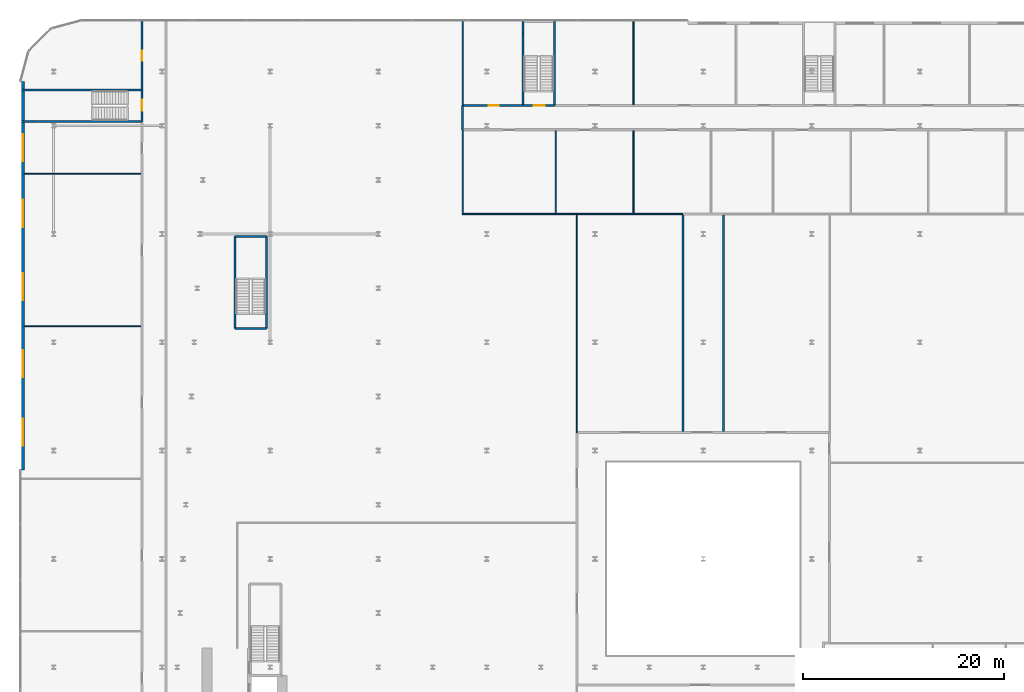
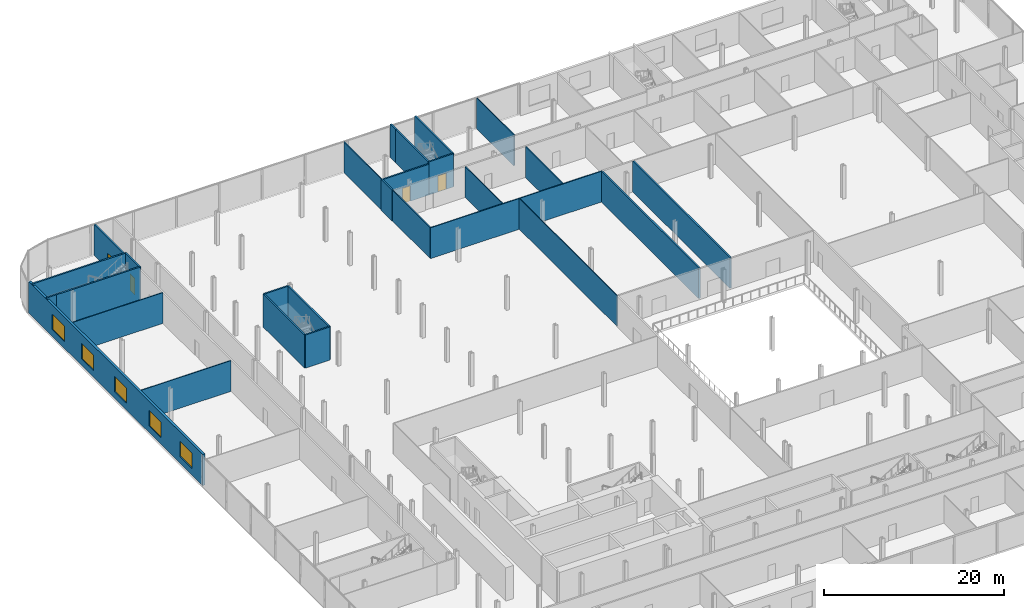
# One storey, part 34 of 47: 27 walls, 5 windows, 4 doors, 9 openings.
"""IFC4 building model written with IfcOpenShell, lengths in metres."""

from ifc_helpers import new_model, si_unit, direction, frame, frame_2d, origin, place, context, subcontext, project, spatial, rectangle, extrude, source, transform, mapped, material, layer, layer_set, type_object, element, fill, save


model = new_model("IFC4")

# Units and contexts
model_context = context("Model", 3, precision=1e-05, world=origin(), true_north=direction((0.0, 1.0)))
body_context = subcontext(model_context, "Body", "Model", "MODEL_VIEW")
ifc_project = project(units=[si_unit("LENGTHUNIT", "METRE"), si_unit("AREAUNIT", "SQUARE_METRE"), si_unit("VOLUMEUNIT", "CUBIC_METRE"), si_unit("PLANEANGLEUNIT", "RADIAN"), si_unit("MASSUNIT", "GRAM", prefix="KILO")], contexts=[model_context])

# Site, building, storey
site_placement = place(None, origin())
site = spatial("IfcSite", under=ifc_project, at=site_placement, CompositionType="ELEMENT")
building_placement = place(site_placement, origin())
building = spatial("IfcBuilding", under=site, at=building_placement, Name="Kheshtan School and Residences Tower", CompositionType="ELEMENT")
storey_placement = place(building_placement, frame((0.0, 0.0, 17.0)))
storey = spatial("IfcBuildingStorey", under=building, at=storey_placement, Name="L03", CompositionType="ELEMENT", Elevation=17.0)

# Walls
ifc_material_1 = material(Name="Gypsum board on steel studs with mineral wool", Category="steel")
ifc_layer_1 = layer(ifc_material_1, 0.125)
ifc_layer_set_1 = layer_set([ifc_layer_1], Name="Acoustic partition 125")
wall_type_1 = type_object("IfcWallType", Name="Acoustic partition 125", PredefinedType="PARTITIONING", material=ifc_layer_set_1)
wall_1_placement = place(storey_placement, frame((55.93798828125, 90.800048828125, 0.0), z_axis=(0.0, 0.0, 1.0), x_axis=(1.0, 0.0, 0.0)))
element("IfcWall", 1, at=wall_1_placement, inside=storey, type_object=wall_type_1, Name="Partition L03-020", PredefinedType="PARTITIONING", context=body_context, shape_type="SweptSolid", body=[
    extrude(rectangle(XDim=22.06201171875, YDim=0.125, at=frame_2d((11.031005859375, 0.0))), origin(), (0.0, 0.0, 1.0), 4.179931640625),
])
wall_2_placement = place(storey_placement, frame((56.0, 90.862060546875, 0.0), z_axis=(0.0, 0.0, 1.0), x_axis=(0.0, 1.0, 0.0)))
element("IfcWall", 2, at=wall_2_placement, inside=storey, type_object=wall_type_1, Name="Partition L03-021", PredefinedType="PARTITIONING", context=body_context, shape_type="SweptSolid", body=[
    extrude(rectangle(XDim=8.337890625, YDim=0.125, at=frame_2d((4.1689453125, 0.0))), origin(), (0.0, 0.0, 1.0), 4.179931640625),
])
wall_3_placement = place(storey_placement, frame((56.0, 101.60009765625, 0.0), z_axis=(0.0, 0.0, 1.0), x_axis=(0.0, 1.0, 0.0)))
element("IfcWall", 3, at=wall_3_placement, inside=storey, type_object=wall_type_1, Name="Partition L03-023", PredefinedType="PARTITIONING", context=body_context, shape_type="SweptSolid", body=[
    extrude(rectangle(XDim=8.39990234375, YDim=0.125, at=frame_2d((4.199951171875, 0.0))), origin(), (0.0, 0.0, 1.0), 4.179931640625),
])
for number, where, z_axis, x_axis, name in (
    (4, (65.2890625, 90.862060546875, 0.0), (0.0, 0.0, 1.0), (0.0, 1.0, 0.0), "Partition L03-027"),
    (5, (73.029052734375, 90.862060546875, 0.0), (0.0, 0.0, 1.0), (0.0, 1.0, 0.0), "Partition L03-034"),
):
    element("IfcWall", number, at=place(storey_placement, frame(where, z_axis=z_axis, x_axis=x_axis)), inside=storey, type_object=wall_type_1, Name=name, PredefinedType="PARTITIONING", context=body_context, shape_type="SweptSolid", body=[
        extrude(rectangle(XDim=8.238037109375, YDim=0.125, at=frame_2d((4.119140625, 0.0))), origin(), (0.0, 0.0, 1.0), 4.179931640625),
    ])
wall_4_placement = place(storey_placement, frame((73.0419921875, 101.699951171875, 0.0), z_axis=(0.0, 0.0, 1.0), x_axis=(0.0, 1.0, 0.0)))
element("IfcWall", 6, at=wall_4_placement, inside=storey, type_object=wall_type_1, Name="Partition L03-035", PredefinedType="PARTITIONING", context=body_context, shape_type="SweptSolid", body=[
    extrude(rectangle(XDim=8.300048828125, YDim=0.125, at=frame_2d((4.14990234375, 0.0))), origin(), (0.0, 0.0, 1.0), 4.179931640625),
])

# Wall, opening, door
ifc_material_2 = material(Name="Gypsum board on steel studs with fire boards", Category="steel")
ifc_layer_2 = layer(ifc_material_2, 0.199951171875)
ifc_layer_set_2 = layer_set([ifc_layer_2], Name="Corridor wall 200")
wall_type_2 = type_object("IfcWallType", Name="Corridor wall 200", PredefinedType="PARTITIONING", material=ifc_layer_set_2)
wall_5_placement = place(storey_placement, frame((24.0, 103.14990234375, 0.0), z_axis=(0.0, 0.0, 1.0), x_axis=(0.0, 1.0, 0.0)))
wall_5 = element("IfcWall", 7, at=wall_5_placement, inside=storey, type_object=wall_type_2, Name="Partition L03-013", PredefinedType="PARTITIONING", context=body_context, shape_type="SweptSolid", body=[
    extrude(rectangle(XDim=6.85009765625, YDim=0.199951171875, at=frame_2d((3.425048828125, 0.0))), origin(), (0.0, 0.0, 1.0), 4.179931640625),
])
opening_1_placement = place(wall_5_placement, frame((2.949951171875, 0.0, 0.0)))
opening_1 = element("IfcOpeningElement", 8, at=opening_1_placement, cuts=wall_5, Name="Opening D03-058", PredefinedType="OPENING", context=body_context, shape_type="SweptSolid", body=[
    extrude(rectangle(XDim=1.0, YDim=2.10009765625, at=frame_2d((0.5, 1.050048828125))), frame((0.0, 0.10986328125, 0.0), z_axis=(0.0, -1.0, 0.0), x_axis=(1.0, 0.0, 0.0)), (0.0, 0.0, 1.0), 0.219970703125),
])
ifc_material_3 = material(Name="Steel-framed fire-resisting door leaf", Category="steel")
door_type_1 = type_object("IfcDoorType", Name="Fire door FD60 1000 x 2100", OperationType="SINGLE_SWING_LEFT", PredefinedType="DOOR", material=ifc_material_3)
shared_shape_1 = source(origin(), body_context, "Body", "SweptSolid", [
    extrude(rectangle(XDim=1.0, YDim=2.10009765625, at=frame_2d((0.5, 1.050048828125))), frame((0.0, 0.02490234375, 0.0), z_axis=(0.0, -1.0, 0.0), x_axis=(1.0, 0.0, 0.0)), (0.0, 0.0, 1.0), 0.050048828125),
])
door_1_placement = place(opening_1_placement, origin())
door_1 = element("IfcDoor", 9, at=door_1_placement, inside=storey, type_object=door_type_1, Name="Door D03-058", OperationType="SINGLE_SWING_RIGHT", OverallHeight=2.10009765625, OverallWidth=1.0, PredefinedType="DOOR", context=body_context, shape_type="MappedRepresentation", body=[
    mapped(shared_shape_1, transform((0.0, 0.0, 0.0), x_axis=(1.0, 0.0, 0.0), y_axis=(0.0, 1.0, 0.0), z_axis=(0.0, 0.0, 1.0), scale=1.0)),
])
fill(opening_1, door_1)

# Wall
wall_6_placement = place(storey_placement, frame((56.0, 99.199951171875, 0.0), z_axis=(0.0, 0.0, 1.0), x_axis=(0.0, 1.0, 0.0)))
element("IfcWall", 10, at=wall_6_placement, inside=storey, type_object=wall_type_2, Name="Partition L03-022", PredefinedType="PARTITIONING", context=body_context, shape_type="SweptSolid", body=[
    extrude(rectangle(XDim=2.400146484375, YDim=0.199951171875, at=frame_2d((1.2001953125, 0.0))), origin(), (0.0, 0.0, 1.0), 4.179931640625),
])

# Wall, opening, door
wall_7_placement = place(storey_placement, frame((56.10009765625, 101.60009765625, 0.0), z_axis=(0.0, 0.0, 1.0), x_axis=(1.0, 0.0, 0.0)))
wall_7 = element("IfcWall", 11, at=wall_7_placement, inside=storey, type_object=wall_type_2, Name="Partition L03-025", PredefinedType="PARTITIONING", context=body_context, shape_type="SweptSolid", body=[
    extrude(rectangle(XDim=5.89990234375, YDim=0.199951171875, at=frame_2d((2.949951171875, 0.0))), origin(), (0.0, 0.0, 1.0), 4.179931640625),
])
opening_2_placement = place(wall_7_placement, frame((2.5, 0.0, 0.0)))
opening_2 = element("IfcOpeningElement", 12, at=opening_2_placement, cuts=wall_7, Name="Opening D03-024", PredefinedType="OPENING", context=body_context, shape_type="SweptSolid", body=[
    extrude(rectangle(XDim=1.0, YDim=2.10009765625, at=frame_2d((0.5, 1.050048828125))), frame((0.0, 0.10986328125, 0.0), z_axis=(0.0, -1.0, 0.0), x_axis=(1.0, 0.0, 0.0)), (0.0, 0.0, 1.0), 0.219970703125),
])
door_2_placement = place(opening_2_placement, origin())
door_2 = element("IfcDoor", 13, at=door_2_placement, inside=storey, type_object=door_type_1, Name="Door D03-024", OperationType="SINGLE_SWING_LEFT", OverallHeight=2.10009765625, OverallWidth=1.0, PredefinedType="DOOR", context=body_context, shape_type="MappedRepresentation", body=[
    mapped(shared_shape_1, transform((0.0, 0.0, 0.0), x_axis=(1.0, 0.0, 0.0), y_axis=(0.0, 1.0, 0.0), z_axis=(0.0, 0.0, 1.0), scale=1.0)),
])
fill(opening_2, door_2)

# Walls
for number, where, z_axis, x_axis, name in (
    (14, (78.0, 69.10009765625, 0.0), (0.0, 0.0, 1.0), (0.0, 1.0, 0.0), "Partition L03-036"),
    (15, (82.0, 69.10009765625, 0.0), (0.0, 0.0, 1.0), (0.0, 1.0, 0.0), "Partition L03-040"),
):
    element("IfcWall", number, at=place(storey_placement, frame(where, z_axis=z_axis, x_axis=x_axis)), inside=storey, type_object=wall_type_2, Name=name, PredefinedType="PARTITIONING", context=body_context, shape_type="SweptSolid", body=[
        extrude(rectangle(XDim=21.599853515625, YDim=0.199951171875, at=frame_2d((10.7998046875, 0.0))), origin(), (0.0, 0.0, 1.0), 4.179931640625),
    ])
ifc_material_4 = material(Name="Gypsum board on steel studs", Category="steel")
ifc_layer_3 = layer(ifc_material_4, 0.10009765625)
ifc_layer_set_3 = layer_set([ifc_layer_3], Name="Gypsum partition 100")
wall_type_3 = type_object("IfcWallType", Name="Gypsum partition 100", PredefinedType="PARTITIONING", material=ifc_layer_set_3)
for number, where, z_axis, x_axis, name in (
    (16, (12.299072265625, 79.60009765625, 0.0), (0.0, 0.0, 1.0), (1.0, 0.0, 0.0), "Partition L03-006"),
    (17, (12.299072265625, 94.800048828125, 0.0), (0.0, 0.0, 1.0), (1.0, 0.0, 0.0), "Partition L03-007"),
):
    element("IfcWall", number, at=place(storey_placement, frame(where, z_axis=z_axis, x_axis=x_axis)), inside=storey, type_object=wall_type_3, Name=name, PredefinedType="PARTITIONING", context=body_context, shape_type="SweptSolid", body=[
        extrude(rectangle(XDim=11.600830078125, YDim=0.10009765625, at=frame_2d((5.80029296875, 0.0))), origin(), (0.0, 0.0, 1.0), 4.179931640625),
    ])
wall_8_placement = place(storey_placement, frame((67.39990234375, 69.0, 0.0), z_axis=(0.0, 0.0, 1.0), x_axis=(0.0, 1.0, 0.0)))
element("IfcWall", 18, at=wall_8_placement, inside=storey, type_object=wall_type_3, Name="Partition L03-031", PredefinedType="PARTITIONING", context=body_context, shape_type="SweptSolid", body=[
    extrude(rectangle(XDim=21.738037109375, YDim=0.10009765625, at=frame_2d((10.869140625, 0.0))), origin(), (0.0, 0.0, 1.0), 4.179931640625),
])

# Wall, openings, windows
ifc_material_5 = material(Name="Concrete C40/50 with ceramic cladding and mineral wool insulation", Category="concrete")
ifc_layer_4 = layer(ifc_material_5, 0.300048828125)
ifc_layer_set_4 = layer_set([ifc_layer_4], Name="Podium external wall 300")
wall_type_4 = type_object("IfcWallType", Name="Podium external wall 300", PredefinedType="SOLIDWALL", material=ifc_layer_set_4)
wall_9_placement = place(storey_placement, frame((12.14990234375, 65.280029296875, 0.0), z_axis=(0.0, 0.0, 1.0), x_axis=(0.0, 1.0, 0.0)))
wall_9 = element("IfcWall", 19, at=wall_9_placement, inside=storey, type_object=wall_type_4, Name="Podium external wall L03 16.1", PredefinedType="SOLIDWALL", context=body_context, shape_type="SweptSolid", body=[
    extrude(rectangle(XDim=38.719970703125, YDim=0.300048828125, at=frame_2d((19.35986328125, 0.0))), origin(), (0.0, 0.0, 1.0), 4.25),
])
opening_3_placement = place(wall_9_placement, frame((2.3798828125, 0.0, 0.89990234375)))
opening_3 = element("IfcOpeningElement", 20, at=opening_3_placement, cuts=wall_9, Name="Opening WN-D", PredefinedType="OPENING", context=body_context, shape_type="SweptSolid", body=[
    extrude(rectangle(XDim=2.699951171875, YDim=2.10009765625, at=frame_2d((1.35009765625, 1.050048828125))), frame((0.0, 0.16015625, 0.0), z_axis=(0.0, -1.0, 0.0), x_axis=(1.0, 0.0, 0.0)), (0.0, 0.0, 1.0), 0.320068359375),
])
opening_4_placement = place(wall_9_placement, frame((9.239990234375, 0.0, 0.89990234375)))
opening_4 = element("IfcOpeningElement", 21, at=opening_4_placement, cuts=wall_9, Name="Opening WN-D", PredefinedType="OPENING", context=body_context, shape_type="SweptSolid", body=[
    extrude(rectangle(XDim=2.699951171875, YDim=2.10009765625, at=frame_2d((1.35009765625, 1.050048828125))), frame((0.0, 0.16015625, 0.0), z_axis=(0.0, -1.0, 0.0), x_axis=(1.0, 0.0, 0.0)), (0.0, 0.0, 1.0), 0.320068359375),
])
opening_5_placement = place(wall_9_placement, frame((16.919921875, 0.0, 0.89990234375)))
opening_5 = element("IfcOpeningElement", 22, at=opening_5_placement, cuts=wall_9, Name="Opening WN-D", PredefinedType="OPENING", context=body_context, shape_type="SweptSolid", body=[
    extrude(rectangle(XDim=2.699951171875, YDim=2.10009765625, at=frame_2d((1.35009765625, 1.050048828125))), frame((0.0, 0.16015625, 0.0), z_axis=(0.0, -1.0, 0.0), x_axis=(1.0, 0.0, 0.0)), (0.0, 0.0, 1.0), 0.320068359375),
])
opening_6_placement = place(wall_9_placement, frame((24.219970703125, 0.0, 0.89990234375)))
opening_6 = element("IfcOpeningElement", 23, at=opening_6_placement, cuts=wall_9, Name="Opening WN-D", PredefinedType="OPENING", context=body_context, shape_type="SweptSolid", body=[
    extrude(rectangle(XDim=2.699951171875, YDim=2.10009765625, at=frame_2d((1.35009765625, 1.050048828125))), frame((0.0, 0.16015625, 0.0), z_axis=(0.0, -1.0, 0.0), x_axis=(1.0, 0.0, 0.0)), (0.0, 0.0, 1.0), 0.320068359375),
])
opening_7_placement = place(wall_9_placement, frame((30.77001953125, 0.0, 0.89990234375)))
opening_7 = element("IfcOpeningElement", 24, at=opening_7_placement, cuts=wall_9, Name="Opening WN-D", PredefinedType="OPENING", context=body_context, shape_type="SweptSolid", body=[
    extrude(rectangle(XDim=2.699951171875, YDim=2.10009765625, at=frame_2d((1.35009765625, 1.050048828125))), frame((0.0, 0.16015625, 0.0), z_axis=(0.0, -1.0, 0.0), x_axis=(1.0, 0.0, 0.0)), (0.0, 0.0, 1.0), 0.320068359375),
])
ifc_material_6 = material(Name="Clear low-e glass in thermally broken aluminium frame", Category="aluminium")
window_type = type_object("IfcWindowType", Name="Window WN-D", PartitioningType="SINGLE_PANEL", PredefinedType="WINDOW", material=ifc_material_6)
shared_shape_2 = source(origin(), body_context, "Body", "SweptSolid", [
    extrude(rectangle(XDim=2.699951171875, YDim=2.10009765625, at=frame_2d((1.35009765625, 1.050048828125))), frame((0.0, 0.030029296875, 0.0), z_axis=(0.0, -1.0, 0.0), x_axis=(1.0, 0.0, 0.0)), (0.0, 0.0, 1.0), 0.06005859375),
])
window_1_placement = place(opening_3_placement, origin())
window_1 = element("IfcWindow", 25, at=window_1_placement, inside=storey, type_object=window_type, Name="Window L03 16.1.1", OverallHeight=2.10009765625, OverallWidth=2.699951171875, PartitioningType="SINGLE_PANEL", PredefinedType="WINDOW", context=body_context, shape_type="MappedRepresentation", body=[
    mapped(shared_shape_2, transform((0.0, 0.0, 0.0), x_axis=(1.0, 0.0, 0.0), y_axis=(0.0, 1.0, 0.0), z_axis=(0.0, 0.0, 1.0), scale=1.0)),
])
fill(opening_3, window_1)
window_2_placement = place(opening_4_placement, origin())
window_2 = element("IfcWindow", 26, at=window_2_placement, inside=storey, type_object=window_type, Name="Window L03 16.1.2", OverallHeight=2.10009765625, OverallWidth=2.699951171875, PartitioningType="SINGLE_PANEL", PredefinedType="WINDOW", context=body_context, shape_type="MappedRepresentation", body=[
    mapped(shared_shape_2, transform((0.0, 0.0, 0.0), x_axis=(1.0, 0.0, 0.0), y_axis=(0.0, 1.0, 0.0), z_axis=(0.0, 0.0, 1.0), scale=1.0)),
])
fill(opening_4, window_2)
window_3_placement = place(opening_5_placement, origin())
window_3 = element("IfcWindow", 27, at=window_3_placement, inside=storey, type_object=window_type, Name="Window L03 16.1.3", OverallHeight=2.10009765625, OverallWidth=2.699951171875, PartitioningType="SINGLE_PANEL", PredefinedType="WINDOW", context=body_context, shape_type="MappedRepresentation", body=[
    mapped(shared_shape_2, transform((0.0, 0.0, 0.0), x_axis=(1.0, 0.0, 0.0), y_axis=(0.0, 1.0, 0.0), z_axis=(0.0, 0.0, 1.0), scale=1.0)),
])
fill(opening_5, window_3)
window_4_placement = place(opening_6_placement, origin())
window_4 = element("IfcWindow", 28, at=window_4_placement, inside=storey, type_object=window_type, Name="Window L03 16.1.4", OverallHeight=2.10009765625, OverallWidth=2.699951171875, PartitioningType="SINGLE_PANEL", PredefinedType="WINDOW", context=body_context, shape_type="MappedRepresentation", body=[
    mapped(shared_shape_2, transform((0.0, 0.0, 0.0), x_axis=(1.0, 0.0, 0.0), y_axis=(0.0, 1.0, 0.0), z_axis=(0.0, 0.0, 1.0), scale=1.0)),
])
fill(opening_6, window_4)
window_5_placement = place(opening_7_placement, origin())
window_5 = element("IfcWindow", 29, at=window_5_placement, inside=storey, type_object=window_type, Name="Window L03 16.1.5", OverallHeight=2.10009765625, OverallWidth=2.699951171875, PartitioningType="SINGLE_PANEL", PredefinedType="WINDOW", context=body_context, shape_type="MappedRepresentation", body=[
    mapped(shared_shape_2, transform((0.0, 0.0, 0.0), x_axis=(1.0, 0.0, 0.0), y_axis=(0.0, 1.0, 0.0), z_axis=(0.0, 0.0, 1.0), scale=1.0)),
])
fill(opening_7, window_5)

# Walls
ifc_material_7 = material(Name="Concrete C40/50", Category="concrete")
ifc_layer_5 = layer(ifc_material_7, 0.199951171875)
ifc_layer_set_5 = layer_set([ifc_layer_5], Name="Stair enclosure wall 200 Concrete C40/50")
wall_type_5 = type_object("IfcWallType", Name="Stair enclosure wall 200 Concrete C40/50", PredefinedType="SHEAR", material=ifc_layer_set_5)
for number, where, z_axis, x_axis, name in (
    (30, (33.300048828125, 79.39990234375, 0.0), (0.0, 0.0, 1.0), (1.0, 0.0, 0.0), "Stair enclosure wall ST3"),
    (31, (33.300048828125, 88.56005859375, 0.0), (0.0, 0.0, 1.0), (1.0, 0.0, 0.0), "Stair enclosure wall ST3"),
):
    element("IfcWall", number, at=place(storey_placement, frame(where, z_axis=z_axis, x_axis=x_axis)), inside=storey, type_object=wall_type_5, Name=name, PredefinedType="SHEAR", context=body_context, shape_type="SweptSolid", body=[
        extrude(rectangle(XDim=3.14990234375, YDim=0.199951171875, at=frame_2d((1.574951171875, 0.0))), origin(), (0.0, 0.0, 1.0), 4.5),
    ])
for number, where, z_axis, x_axis, name in (
    (32, (33.300048828125, 79.39990234375, 0.0), (0.0, 0.0, 1.0), (0.0, 1.0, 0.0), "Stair enclosure wall ST3"),
    (33, (36.449951171875, 79.39990234375, 0.0), (0.0, 0.0, 1.0), (0.0, 1.0, 0.0), "Stair enclosure wall ST3"),
):
    element("IfcWall", number, at=place(storey_placement, frame(where, z_axis=z_axis, x_axis=x_axis)), inside=storey, type_object=wall_type_5, Name=name, PredefinedType="SHEAR", context=body_context, shape_type="SweptSolid", body=[
        extrude(rectangle(XDim=9.16015625, YDim=0.199951171875, at=frame_2d((4.580078125, 0.0))), origin(), (0.0, 0.0, 1.0), 4.5),
    ])

# Wall, opening, door
wall_10_placement = place(storey_placement, frame((62.0, 101.60009765625, 0.0), z_axis=(0.0, 0.0, 1.0), x_axis=(1.0, 0.0, 0.0)))
wall_10 = element("IfcWall", 34, at=wall_10_placement, inside=storey, type_object=wall_type_5, Name="Stair enclosure wall", PredefinedType="SHEAR", context=body_context, shape_type="SweptSolid", body=[
    extrude(rectangle(XDim=3.14990234375, YDim=0.199951171875, at=frame_2d((1.574951171875, 0.0))), origin(), (0.0, 0.0, 1.0), 4.5),
])
opening_8_placement = place(wall_10_placement, frame((1.10009765625, 0.0, 0.0)))
opening_8 = element("IfcOpeningElement", 35, at=opening_8_placement, cuts=wall_10, Name="Opening SD90", PredefinedType="OPENING", context=body_context, shape_type="SweptSolid", body=[
    extrude(rectangle(XDim=1.10009765625, YDim=2.199951171875, at=frame_2d((0.550048828125, 1.10009765625))), frame((0.0, 0.10986328125, 0.0), z_axis=(0.0, -1.0, 0.0), x_axis=(1.0, 0.0, 0.0)), (0.0, 0.0, 1.0), 0.219970703125),
])
ifc_material_8 = material(Name="Steel door leaf, galvanised", Category="steel")
door_type_2 = type_object("IfcDoorType", Name="Stair door 1100 steel 90 min", OperationType="SINGLE_SWING_LEFT", PredefinedType="DOOR", material=ifc_material_8)
shared_shape_3 = source(origin(), body_context, "Body", "SweptSolid", [
    extrude(rectangle(XDim=1.10009765625, YDim=2.199951171875, at=frame_2d((0.550048828125, 1.10009765625))), frame((0.0, 0.02490234375, 0.0), z_axis=(0.0, -1.0, 0.0), x_axis=(1.0, 0.0, 0.0)), (0.0, 0.0, 1.0), 0.050048828125),
])
door_3_placement = place(opening_8_placement, origin())
door_3 = element("IfcDoor", 36, at=door_3_placement, inside=storey, type_object=door_type_2, Name="Stair door", OperationType="SINGLE_SWING_RIGHT", OverallHeight=2.199951171875, OverallWidth=1.10009765625, PredefinedType="DOOR", context=body_context, shape_type="MappedRepresentation", body=[
    mapped(shared_shape_3, transform((0.0, 0.0, 0.0), x_axis=(1.0, 0.0, 0.0), y_axis=(0.0, 1.0, 0.0), z_axis=(0.0, 0.0, 1.0), scale=1.0)),
])
fill(opening_8, door_3)

# Walls
wall_11_placement = place(storey_placement, frame((62.0, 101.60009765625, 0.0), z_axis=(0.0, 0.0, 1.0), x_axis=(0.0, 1.0, 0.0)))
element("IfcWall", 37, at=wall_11_placement, inside=storey, type_object=wall_type_5, Name="Stair enclosure wall", PredefinedType="SHEAR", context=body_context, shape_type="SweptSolid", body=[
    extrude(rectangle(XDim=7.199951171875, YDim=0.199951171875, at=frame_2d((3.60009765625, 0.0))), origin(), (0.0, 0.0, 1.0), 4.5),
])
wall_12_placement = place(storey_placement, frame((62.0, 108.800048828125, 0.0), z_axis=(0.0, 0.0, 1.0), x_axis=(0.0, 1.0, 0.0)))
element("IfcWall", 38, at=wall_12_placement, inside=storey, type_object=wall_type_5, Name="Stair enclosure wall", PredefinedType="SHEAR", context=body_context, shape_type="SweptSolid", body=[
    extrude(rectangle(XDim=1.199951171875, YDim=0.199951171875, at=frame_2d((0.60009765625, 0.0))), origin(), (0.0, 0.0, 1.0), 4.5),
])
wall_13_placement = place(storey_placement, frame((65.14990234375, 101.60009765625, 0.0), z_axis=(0.0, 0.0, 1.0), x_axis=(0.0, 1.0, 0.0)))
element("IfcWall", 39, at=wall_13_placement, inside=storey, type_object=wall_type_5, Name="Stair enclosure wall", PredefinedType="SHEAR", context=body_context, shape_type="SweptSolid", body=[
    extrude(rectangle(XDim=8.39990234375, YDim=0.199951171875, at=frame_2d((4.199951171875, 0.0))), origin(), (0.0, 0.0, 1.0), 4.5),
])
wall_14_placement = place(storey_placement, frame((12.0, 100.0, 0.0), z_axis=(0.0, 0.0, 1.0), x_axis=(1.0, 0.0, 0.0)))
element("IfcWall", 40, at=wall_14_placement, inside=storey, type_object=wall_type_5, Name="Stair enclosure wall", PredefinedType="SHEAR", context=body_context, shape_type="SweptSolid", body=[
    extrude(rectangle(XDim=1.199951171875, YDim=0.199951171875, at=frame_2d((0.60009765625, 0.0))), origin(), (0.0, 0.0, 1.0), 4.5),
])
wall_15_placement = place(storey_placement, frame((13.199951171875, 100.0, 0.0), z_axis=(0.0, 0.0, 1.0), x_axis=(1.0, 0.0, 0.0)))
element("IfcWall", 41, at=wall_15_placement, inside=storey, type_object=wall_type_5, Name="Stair enclosure wall", PredefinedType="SHEAR", context=body_context, shape_type="SweptSolid", body=[
    extrude(rectangle(XDim=10.800048828125, YDim=0.199951171875, at=frame_2d((5.39990234375, 0.0))), origin(), (0.0, 0.0, 1.0), 4.5),
])
wall_16_placement = place(storey_placement, frame((12.0, 103.14990234375, 0.0), z_axis=(0.0, 0.0, 1.0), x_axis=(1.0, 0.0, 0.0)))
element("IfcWall", 42, at=wall_16_placement, inside=storey, type_object=wall_type_5, Name="Stair enclosure wall", PredefinedType="SHEAR", context=body_context, shape_type="SweptSolid", body=[
    extrude(rectangle(XDim=12.0, YDim=0.199951171875, at=frame_2d((6.0, 0.0))), origin(), (0.0, 0.0, 1.0), 4.5),
])

# Wall, opening, door
wall_17_placement = place(storey_placement, frame((24.0, 100.0, 0.0), z_axis=(0.0, 0.0, 1.0), x_axis=(0.0, 1.0, 0.0)))
wall_17 = element("IfcWall", 43, at=wall_17_placement, inside=storey, type_object=wall_type_5, Name="Stair enclosure wall", PredefinedType="SHEAR", context=body_context, shape_type="SweptSolid", body=[
    extrude(rectangle(XDim=3.14990234375, YDim=0.199951171875, at=frame_2d((1.574951171875, 0.0))), origin(), (0.0, 0.0, 1.0), 4.5),
])
opening_9_placement = place(wall_17_placement, frame((1.10009765625, 0.0, 0.0)))
opening_9 = element("IfcOpeningElement", 44, at=opening_9_placement, cuts=wall_17, Name="Opening SD90", PredefinedType="OPENING", context=body_context, shape_type="SweptSolid", body=[
    extrude(rectangle(XDim=1.10009765625, YDim=2.199951171875, at=frame_2d((0.550048828125, 1.10009765625))), frame((0.0, 0.10986328125, 0.0), z_axis=(0.0, -1.0, 0.0), x_axis=(1.0, 0.0, 0.0)), (0.0, 0.0, 1.0), 0.219970703125),
])
door_4_placement = place(opening_9_placement, origin())
door_4 = element("IfcDoor", 45, at=door_4_placement, inside=storey, type_object=door_type_2, Name="Stair door", OperationType="SINGLE_SWING_RIGHT", OverallHeight=2.199951171875, OverallWidth=1.10009765625, PredefinedType="DOOR", context=body_context, shape_type="MappedRepresentation", body=[
    mapped(shared_shape_3, transform((0.0, 0.0, 0.0), x_axis=(1.0, 0.0, 0.0), y_axis=(0.0, 1.0, 0.0), z_axis=(0.0, 0.0, 1.0), scale=1.0)),
])
fill(opening_9, door_4)

save(model, "model.ifc")
